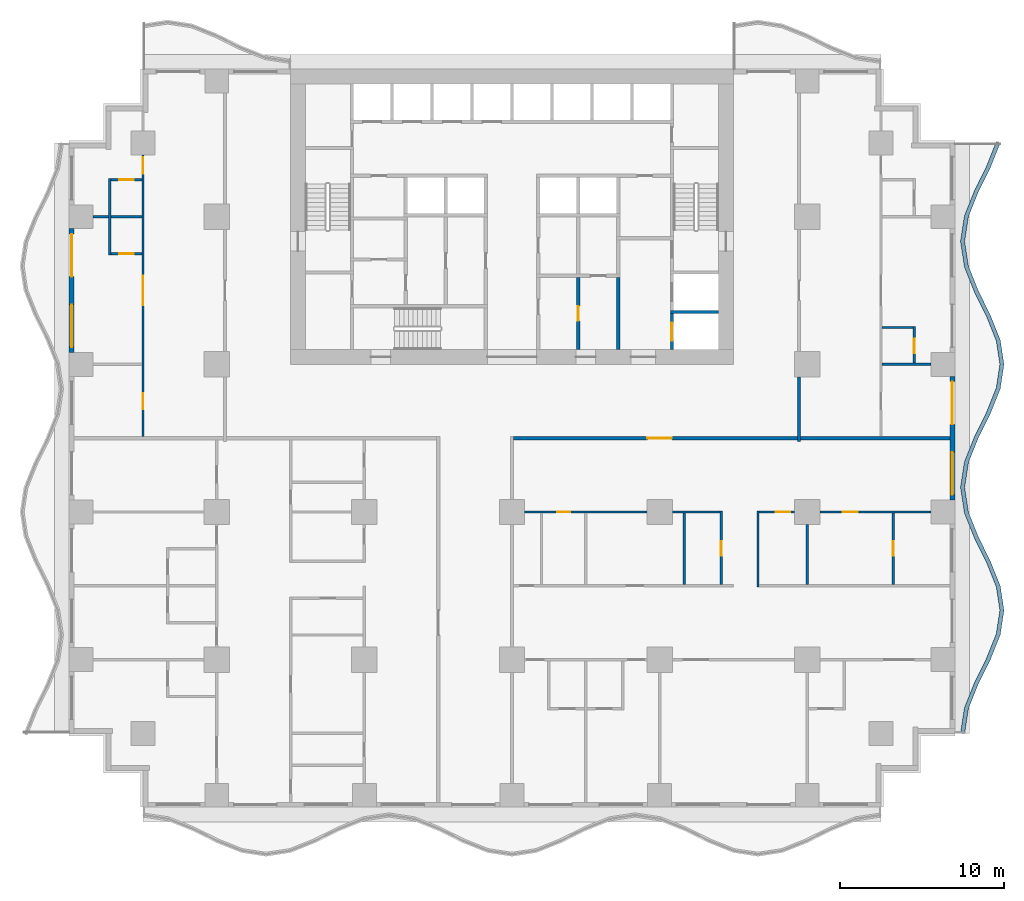
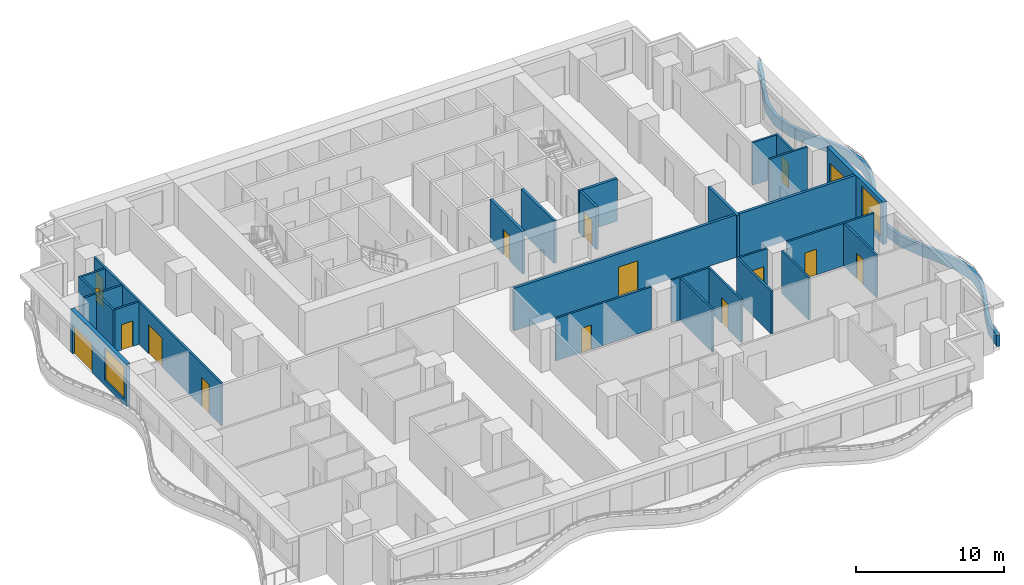
# One storey, part 4 of 14: 28 walls, 16 doors, 2 windows, 18 openings.
"""IFC4 building model written with IfcOpenShell, lengths in metres."""

from ifc_helpers import new_model, si_unit, direction, frame, frame_2d, origin, place, context, subcontext, project, spatial, polyline, rectangle, outline, extrude, material, layer, layer_set, type_object, element, fill, save


model = new_model("IFC4")

# Units and contexts
model_context = context("Model", 3, precision=1e-05, world=origin(), true_north=direction((0.0, 1.0)))
body_context = subcontext(model_context, "Body", "Model", "MODEL_VIEW")
ifc_project = project(units=[si_unit("LENGTHUNIT", "METRE"), si_unit("AREAUNIT", "SQUARE_METRE"), si_unit("VOLUMEUNIT", "CUBIC_METRE"), si_unit("PLANEANGLEUNIT", "RADIAN"), si_unit("MASSUNIT", "GRAM", prefix="KILO")], contexts=[model_context])

# Site, building, storey
site_placement = place(None, origin())
site = spatial("IfcSite", under=ifc_project, at=site_placement, CompositionType="ELEMENT")
building_placement = place(site_placement, origin())
building = spatial("IfcBuilding", under=site, at=building_placement, Name="Orbiselva Terraces", CompositionType="ELEMENT")
storey_placement = place(building_placement, frame((0.0, 0.0, 37.8)))
storey = spatial("IfcBuildingStorey", under=building, at=storey_placement, Name="L09", CompositionType="ELEMENT", Elevation=37.8)

# Wall, opening, door
ifc_material_1 = material(Name="Masonry blockwork", Category="masonry")
ifc_layer_1 = layer(ifc_material_1, 0.2)
ifc_layer_set_1 = layer_set([ifc_layer_1], Name="Masonry blockwork")
wall_type_1 = type_object("IfcWallType", Name="CORE-WALL-PARTITION-200", PredefinedType="PARTITIONING", material=ifc_layer_set_1)
wall_1_placement = place(storey_placement, frame((4.0375, 9.8, 0.0), z_axis=(0.0, 0.0, 1.0), x_axis=(0.0, -1.0, 0.0)))
wall_1 = element("IfcWall", 1, at=wall_1_placement, inside=storey, type_object=wall_type_1, Name="L09 core wall 36", PredefinedType="PARTITIONING", context=body_context, shape_type="SweptSolid", body=[
    extrude(rectangle(XDim=4.4, YDim=0.2, at=frame_2d((2.2, 0.0))), origin(), (0.0, 0.0, 1.0), 3.5),
])
opening_1_placement = place(wall_1_placement, frame((1.75, 0.0, 0.0)))
opening_1 = element("IfcOpeningElement", 2, at=opening_1_placement, cuts=wall_1, Name="Opening DR900", PredefinedType="OPENING", context=body_context, shape_type="SweptSolid", body=[
    extrude(rectangle(XDim=0.9, YDim=2.1, at=frame_2d((0.45, 1.05))), frame((0.0, 0.11, 0.0), z_axis=(0.0, -1.0, 0.0), x_axis=(1.0, 0.0, 0.0)), (0.0, 0.0, 1.0), 0.22),
])
ifc_material_2 = material(Name="Steel fire door", Category="steel")
door_type_1 = type_object("IfcDoorType", Name="ROOM DOOR 900", OperationType="NOTDEFINED", PredefinedType="DOOR", material=ifc_material_2)
door_1_placement = place(opening_1_placement, origin())
door_1 = element("IfcDoor", 3, at=door_1_placement, inside=storey, type_object=door_type_1, Name="L09 SPARE PARTS STORE door", OperationType="SINGLE_SWING_LEFT", OverallHeight=2.1, OverallWidth=0.9, PredefinedType="DOOR", context=body_context, shape_type="SweptSolid", body=[
    extrude(rectangle(XDim=0.9, YDim=2.1, at=frame_2d((0.45, 1.05))), frame((0.0, 0.025, 0.0), z_axis=(0.0, -1.0, 0.0), x_axis=(1.0, 0.0, 0.0)), (0.0, 0.0, 1.0), 0.05),
])
fill(opening_1, door_1)

# Wall
ifc_material_3 = material(Name="Concrete C60/75", Category="concrete")
ifc_layer_2 = layer(ifc_material_3, 0.2)
ifc_layer_set_2 = layer_set([ifc_layer_2], Name="Concrete C60/75")
wall_type_2 = type_object("IfcWallType", Name="CORE-WALL-SHEAR-200", PredefinedType="SHEAR", material=ifc_layer_set_2)
wall_2_placement = place(storey_placement, frame((6.475, 5.4, 0.0), z_axis=(0.0, 0.0, 1.0), x_axis=(0.0, 1.0, 0.0)))
element("IfcWall", 4, at=wall_2_placement, inside=storey, type_object=wall_type_2, Name="L09 core wall 40", PredefinedType="SHEAR", context=body_context, shape_type="SweptSolid", body=[
    extrude(rectangle(XDim=4.4, YDim=0.2, at=frame_2d((2.2, 0.0))), origin(), (0.0, 0.0, 1.0), 3.5),
])

# Wall, opening, door
wall_3_placement = place(storey_placement, frame((9.75, 5.4, 0.0), z_axis=(0.0, 0.0, 1.0), x_axis=(0.0, 1.0, 0.0)))
wall_3 = element("IfcWall", 5, at=wall_3_placement, inside=storey, type_object=wall_type_2, Name="L09 core wall 46", PredefinedType="SHEAR", context=body_context, shape_type="SweptSolid", body=[
    extrude(rectangle(XDim=2.2, YDim=0.2, at=frame_2d((1.1, 0.0))), origin(), (0.0, 0.0, 1.0), 3.5),
])
opening_2_placement = place(wall_3_placement, frame((0.55, 0.0, 0.0)))
opening_2 = element("IfcOpeningElement", 6, at=opening_2_placement, cuts=wall_3, Name="Opening LD-FF1", PredefinedType="OPENING", context=body_context, shape_type="SweptSolid", body=[
    extrude(rectangle(XDim=1.1, YDim=2.1, at=frame_2d((0.55, 1.05))), frame((0.0, 0.11, 0.0), z_axis=(0.0, -1.0, 0.0), x_axis=(1.0, 0.0, 0.0)), (0.0, 0.0, 1.0), 0.22),
])
ifc_material_4 = material(Name="Stainless steel landing door", Category="steel")
door_type_2 = type_object("IfcDoorType", Name="LANDING DOOR 1100", OperationType="SLIDING_TO_LEFT", PredefinedType="DOOR", material=ifc_material_4)
door_2_placement = place(opening_2_placement, origin())
door_2 = element("IfcDoor", 7, at=door_2_placement, inside=storey, type_object=door_type_2, Name="L09 landing door FF1", OperationType="SLIDING_TO_RIGHT", OverallHeight=2.1, OverallWidth=1.1, PredefinedType="DOOR", context=body_context, shape_type="SweptSolid", body=[
    extrude(rectangle(XDim=1.1, YDim=2.1, at=frame_2d((0.55, 1.05))), frame((0.0, 0.025, 0.0), z_axis=(0.0, -1.0, 0.0), x_axis=(1.0, 0.0, 0.0)), (0.0, 0.0, 1.0), 0.05),
])
fill(opening_2, door_2)

# Walls
wall_4_placement = place(storey_placement, frame((9.65, 7.7, 0.0), z_axis=(0.0, 0.0, 1.0), x_axis=(1.0, 0.0, 0.0)))
element("IfcWall", 8, at=wall_4_placement, inside=storey, type_object=wall_type_2, Name="L09 core wall 47", PredefinedType="SHEAR", context=body_context, shape_type="SweptSolid", body=[
    extrude(rectangle(XDim=2.95, YDim=0.2, at=frame_2d((1.475, 0.0))), origin(), (0.0, 0.0, 1.0), 3.5),
])
ifc_material_5 = material(Name="Concrete C40/50", Category="concrete")
ifc_layer_3 = layer(ifc_material_5, 0.25)
ifc_layer_set_3 = layer_set([ifc_layer_3], Name="Concrete C40/50")
wall_type_3 = type_object("IfcWallType", Name="ENV-PLANTER-250x900", PredefinedType="USERDEFINED", material=ifc_layer_set_3)
wall_5_placement = place(storey_placement, origin())
element("IfcWall", 9, at=wall_5_placement, inside=storey, type_object=wall_type_3, Name="Balcony planter L09 E", ObjectType="PLANTER", PredefinedType="USERDEFINED", context=body_context, shape_type="SweptSolid", body=[
    extrude(outline(polyline([(27.6, -18.0), (27.82918, -16.5), (28.42918, -15.0), (29.17082, -13.5), (29.77082, -12.0), (30.0, -10.5), (29.77082, -9.0), (29.17082, -7.5), (28.42918, -6.0), (27.82918, -4.5), (27.6, -3.0), (27.82918, -1.5), (28.42918, 0.0), (29.17082, 1.5), (29.77082, 3.0), (30.0, 4.5), (29.77082, 6.0), (29.17082, 7.5), (28.42918, 9.0), (27.82918, 10.5), (27.6, 12.0), (27.82918, 13.5), (28.42918, 15.0), (29.17082, 16.5), (29.77082, 18.0), (29.538701, 18.092848), (28.942355, 16.601983), (28.200715, 15.101983), (27.586388, 13.566166), (27.347099, 12.0), (27.586388, 10.433834), (28.200715, 8.898017), (28.942355, 7.398017), (29.528028, 5.933834), (29.747099, 4.5), (29.528028, 3.066166), (28.942355, 1.601983), (28.200715, 0.101983), (27.586388, -1.433834), (27.347099, -3.0), (27.586388, -4.566166), (28.200715, -6.101983), (28.942355, -7.601983), (29.528028, -9.066166), (29.747099, -10.5), (29.528028, -11.933834), (28.942355, -13.398017), (28.200715, -14.898017), (27.586388, -16.433834), (27.352868, -17.962242), (27.6, -18.0)])), origin(), (0.0, 0.0, 1.0), 0.9),
])

# Wall, openings, door, window
ifc_material_6 = material(Name="Terracotta cladding on masonry backing", Category="masonry")
ifc_layer_4 = layer(ifc_material_6, 0.3)
ifc_layer_set_4 = layer_set([ifc_layer_4], Name="Terracotta cladding on masonry backing")
wall_type_4 = type_object("IfcWallType", Name="ENV-WALL-TERRACOTTA-300", PredefinedType="SOLIDWALL", material=ifc_layer_set_4)
wall_6_placement = place(storey_placement, frame((26.85, 3.775, 0.0), z_axis=(0.0, 0.0, 1.0), x_axis=(0.0, -1.0, 0.0)))
wall_6 = element("IfcWall", 10, at=wall_6_placement, inside=storey, type_object=wall_type_4, Name="Facade wall L09 E", PredefinedType="SOLIDWALL", context=body_context, shape_type="SweptSolid", body=[
    extrude(rectangle(XDim=7.55, YDim=0.3, at=frame_2d((3.775, 0.0))), origin(), (0.0, 0.0, 1.0), 3.5),
])
opening_3_placement = place(wall_6_placement, frame((4.625, 0.0, 0.45)))
opening_3 = element("IfcOpeningElement", 11, at=opening_3_placement, cuts=wall_6, Name="Opening WN1", PredefinedType="OPENING", context=body_context, shape_type="SweptSolid", body=[
    extrude(rectangle(XDim=2.6, YDim=2.65, at=frame_2d((1.3, 1.325))), frame((0.0, 0.16, 0.0), z_axis=(0.0, -1.0, 0.0), x_axis=(1.0, 0.0, 0.0)), (0.0, 0.0, 1.0), 0.32),
])
opening_4_placement = place(wall_6_placement, frame((0.325, 0.0, 0.0)))
opening_4 = element("IfcOpeningElement", 12, at=opening_4_placement, cuts=wall_6, Name="Opening Z1-C-E06", PredefinedType="OPENING", context=body_context, shape_type="SweptSolid", body=[
    extrude(rectangle(XDim=2.6, YDim=2.4, at=frame_2d((1.3, 1.2))), frame((0.0, 0.16, 0.0), z_axis=(0.0, -1.0, 0.0), x_axis=(1.0, 0.0, 0.0)), (0.0, 0.0, 1.0), 0.32),
])
ifc_material_7 = material(Name="Clear low-e glazing in aluminium frame", Category="aluminium")
door_type_3 = type_object("IfcDoorType", Name="BALCONY DOOR 2600 X 2400", OperationType="DOUBLE_DOOR_SLIDING", PredefinedType="DOOR", material=ifc_material_7)
door_3_placement = place(opening_4_placement, origin())
door_3 = element("IfcDoor", 13, at=door_3_placement, inside=storey, type_object=door_type_3, Name="Z1-C-E06", OperationType="SINGLE_SWING_LEFT", OverallHeight=2.4, OverallWidth=2.6, PredefinedType="DOOR", context=body_context, shape_type="SweptSolid", body=[
    extrude(rectangle(XDim=2.6, YDim=2.4, at=frame_2d((1.3, 1.2))), frame((0.0, 0.025, 0.0), z_axis=(0.0, -1.0, 0.0), x_axis=(1.0, 0.0, 0.0)), (0.0, 0.0, 1.0), 0.05),
])
fill(opening_4, door_3)
window_type = type_object("IfcWindowType", Name="WINDOW 2600 X 2650 S450", PartitioningType="TRIPLE_PANEL_VERTICAL", PredefinedType="WINDOW", material=ifc_material_7)
window_1_placement = place(opening_3_placement, origin())
window_1 = element("IfcWindow", 14, at=window_1_placement, inside=storey, type_object=window_type, Name="Window L09 E", OverallHeight=2.65, OverallWidth=2.6, PartitioningType="SINGLE_PANEL", PredefinedType="WINDOW", context=body_context, shape_type="SweptSolid", body=[
    extrude(rectangle(XDim=2.6, YDim=2.65, at=frame_2d((1.3, 1.325))), frame((0.0, 0.03, 0.0), z_axis=(0.0, -1.0, 0.0), x_axis=(1.0, 0.0, 0.0)), (0.0, 0.0, 1.0), 0.06),
])
fill(opening_3, window_1)

wall_7_placement = place(storey_placement, frame((-26.85, 5.225, 0.0), z_axis=(0.0, 0.0, 1.0), x_axis=(0.0, 1.0, 0.0)))
wall_7 = element("IfcWall", 15, at=wall_7_placement, inside=storey, type_object=wall_type_4, Name="Facade wall L09 W", PredefinedType="SOLIDWALL", context=body_context, shape_type="SweptSolid", body=[
    extrude(rectangle(XDim=7.55, YDim=0.3, at=frame_2d((3.775, 0.0))), origin(), (0.0, 0.0, 1.0), 3.5),
])
opening_5_placement = place(wall_7_placement, frame((4.625, 0.0, 0.0)))
opening_5 = element("IfcOpeningElement", 16, at=opening_5_placement, cuts=wall_7, Name="Opening Z1-C-E10", PredefinedType="OPENING", context=body_context, shape_type="SweptSolid", body=[
    extrude(rectangle(XDim=2.6, YDim=2.4, at=frame_2d((1.3, 1.2))), frame((0.0, 0.16, 0.0), z_axis=(0.0, -1.0, 0.0), x_axis=(1.0, 0.0, 0.0)), (0.0, 0.0, 1.0), 0.32),
])
opening_6_placement = place(wall_7_placement, frame((0.325, 0.0, 0.45)))
opening_6 = element("IfcOpeningElement", 17, at=opening_6_placement, cuts=wall_7, Name="Opening WN1", PredefinedType="OPENING", context=body_context, shape_type="SweptSolid", body=[
    extrude(rectangle(XDim=2.6, YDim=2.65, at=frame_2d((1.3, 1.325))), frame((0.0, 0.16, 0.0), z_axis=(0.0, -1.0, 0.0), x_axis=(1.0, 0.0, 0.0)), (0.0, 0.0, 1.0), 0.32),
])
door_4_placement = place(opening_5_placement, origin())
door_4 = element("IfcDoor", 18, at=door_4_placement, inside=storey, type_object=door_type_3, Name="Z1-C-E10", OperationType="SINGLE_SWING_LEFT", OverallHeight=2.4, OverallWidth=2.6, PredefinedType="DOOR", context=body_context, shape_type="SweptSolid", body=[
    extrude(rectangle(XDim=2.6, YDim=2.4, at=frame_2d((1.3, 1.2))), frame((0.0, 0.025, 0.0), z_axis=(0.0, -1.0, 0.0), x_axis=(1.0, 0.0, 0.0)), (0.0, 0.0, 1.0), 0.05),
])
fill(opening_5, door_4)
window_2_placement = place(opening_6_placement, origin())
window_2 = element("IfcWindow", 19, at=window_2_placement, inside=storey, type_object=window_type, Name="Window L09 W", OverallHeight=2.65, OverallWidth=2.6, PartitioningType="SINGLE_PANEL", PredefinedType="WINDOW", context=body_context, shape_type="SweptSolid", body=[
    extrude(rectangle(XDim=2.6, YDim=2.65, at=frame_2d((1.3, 1.325))), frame((0.0, 0.03, 0.0), z_axis=(0.0, -1.0, 0.0), x_axis=(1.0, 0.0, 0.0)), (0.0, 0.0, 1.0), 0.06),
])
fill(opening_6, window_2)

# Wall, opening, door
ifc_material_8 = material(Name="Plasterboard on steel stud partition", Category="steel")
ifc_layer_5 = layer(ifc_material_8, 0.2)
ifc_layer_set_5 = layer_set([ifc_layer_5], Name="Plasterboard on steel stud partition")
wall_type_5 = type_object("IfcWallType", Name="UNIT-ENTRANCE-WALL-200", PredefinedType="PARTITIONING", material=ifc_layer_set_5)
wall_8_placement = place(storey_placement, frame((17.4, 0.0, 0.0), z_axis=(0.0, 0.0, 1.0), x_axis=(-1.0, 0.0, 0.0)))
wall_8 = element("IfcWall", 20, at=wall_8_placement, inside=storey, type_object=wall_type_5, Name="PARTITION L09-028", PredefinedType="PARTITIONING", context=body_context, shape_type="SweptSolid", body=[
    extrude(rectangle(XDim=17.3, YDim=0.2, at=frame_2d((8.65, 0.0))), origin(), (0.0, 0.0, 1.0), 3.5),
])
opening_7_placement = place(wall_8_placement, frame((7.65, 0.0, 0.0)))
opening_7 = element("IfcOpeningElement", 21, at=opening_7_placement, cuts=wall_8, Name="Opening Z1-C-28", PredefinedType="OPENING", context=body_context, shape_type="SweptSolid", body=[
    extrude(rectangle(XDim=1.5, YDim=2.4, at=frame_2d((0.75, 1.2))), frame((0.0, 0.11, 0.0), z_axis=(0.0, -1.0, 0.0), x_axis=(1.0, 0.0, 0.0)), (0.0, 0.0, 1.0), 0.22),
])
ifc_material_9 = material(Name="Painted timber door leaf", Category="wood")
door_type_4 = type_object("IfcDoorType", Name="ENTRANCE DOUBLE DOOR 1500", OperationType="NOTDEFINED", PredefinedType="DOOR", material=ifc_material_9)
door_5_placement = place(opening_7_placement, origin())
door_5 = element("IfcDoor", 22, at=door_5_placement, inside=storey, type_object=door_type_4, Name="Z1-C-28", OperationType="DOUBLE_DOOR_SINGLE_SWING", OverallHeight=2.4, OverallWidth=1.5, PredefinedType="DOOR", context=body_context, shape_type="SweptSolid", body=[
    extrude(rectangle(XDim=1.5, YDim=2.4, at=frame_2d((0.75, 1.2))), frame((0.0, 0.025, 0.0), z_axis=(0.0, -1.0, 0.0), x_axis=(1.0, 0.0, 0.0)), (0.0, 0.0, 1.0), 0.05),
])
fill(opening_7, door_5)

# Wall
wall_9_placement = place(storey_placement, frame((17.5, -0.2, 0.0), z_axis=(0.0, 0.0, 1.0), x_axis=(0.0, 1.0, 0.0)))
element("IfcWall", 23, at=wall_9_placement, inside=storey, type_object=wall_type_5, Name="PARTITION L09-070", PredefinedType="PARTITIONING", context=body_context, shape_type="SweptSolid", body=[
    extrude(rectangle(XDim=3.925, YDim=0.2, at=frame_2d((1.9625, 0.0))), origin(), (0.0, 0.0, 1.0), 3.5),
])

# Wall, opening, door
ifc_layer_6 = layer(ifc_material_8, 0.15)
ifc_layer_set_6 = layer_set([ifc_layer_6], Name="Plasterboard on steel stud partition")
wall_type_6 = type_object("IfcWallType", Name="UNIT-PARTITION-150", PredefinedType="PARTITIONING", material=ifc_layer_set_6)
wall_10_placement = place(storey_placement, frame((8.225, -4.5, 0.0), z_axis=(0.0, 0.0, 1.0), x_axis=(-1.0, 0.0, 0.0)))
wall_10 = element("IfcWall", 24, at=wall_10_placement, inside=storey, type_object=wall_type_6, Name="PARTITION L09-022", PredefinedType="PARTITIONING", context=body_context, shape_type="SweptSolid", body=[
    extrude(rectangle(XDim=7.45, YDim=0.15, at=frame_2d((3.725, 0.0))), origin(), (0.0, 0.0, 1.0), 3.5),
])
opening_8_placement = place(wall_10_placement, frame((4.675, 0.0, 0.0)))
opening_8 = element("IfcOpeningElement", 25, at=opening_8_placement, cuts=wall_10, Name="Opening Z1-C-30", PredefinedType="OPENING", context=body_context, shape_type="SweptSolid", body=[
    extrude(rectangle(XDim=0.8, YDim=2.0, at=frame_2d((0.4, 1.0))), frame((0.0, 0.085, 0.0), z_axis=(0.0, -1.0, 0.0), x_axis=(1.0, 0.0, 0.0)), (0.0, 0.0, 1.0), 0.17),
])
door_type_5 = type_object("IfcDoorType", Name="STORE DOOR 800", OperationType="NOTDEFINED", PredefinedType="DOOR", material=ifc_material_9)
door_6_placement = place(opening_8_placement, origin())
door_6 = element("IfcDoor", 26, at=door_6_placement, inside=storey, type_object=door_type_5, Name="Z1-C-30", OperationType="SINGLE_SWING_RIGHT", OverallHeight=2.0, OverallWidth=0.8, PredefinedType="DOOR", context=body_context, shape_type="SweptSolid", body=[
    extrude(rectangle(XDim=0.8, YDim=2.0, at=frame_2d((0.4, 1.0))), frame((0.0, 0.025, 0.0), z_axis=(0.0, -1.0, 0.0), x_axis=(1.0, 0.0, 0.0)), (0.0, 0.0, 1.0), 0.05),
])
fill(opening_8, door_6)

# Wall
wall_11_placement = place(storey_placement, frame((9.775, -4.5, 0.0), z_axis=(0.0, 0.0, 1.0), x_axis=(1.0, 0.0, 0.0)))
element("IfcWall", 27, at=wall_11_placement, inside=storey, type_object=wall_type_6, Name="PARTITION L09-023", PredefinedType="PARTITIONING", context=body_context, shape_type="SweptSolid", body=[
    extrude(rectangle(XDim=2.9, YDim=0.15, at=frame_2d((1.45, 0.0))), origin(), (0.0, 0.0, 1.0), 3.5),
])

# Wall, opening, door
wall_12_placement = place(storey_placement, frame((17.225, -4.5, 0.0), z_axis=(0.0, 0.0, 1.0), x_axis=(-1.0, 0.0, 0.0)))
wall_12 = element("IfcWall", 28, at=wall_12_placement, inside=storey, type_object=wall_type_6, Name="PARTITION L09-024", PredefinedType="PARTITIONING", context=body_context, shape_type="SweptSolid", body=[
    extrude(rectangle(XDim=2.15, YDim=0.15, at=frame_2d((1.075, 0.0))), origin(), (0.0, 0.0, 1.0), 3.5),
])
opening_9_placement = place(wall_12_placement, frame((0.25, 0.0, 0.0)))
opening_9 = element("IfcOpeningElement", 29, at=opening_9_placement, cuts=wall_12, Name="Opening Z1-C-33", PredefinedType="OPENING", context=body_context, shape_type="SweptSolid", body=[
    extrude(rectangle(XDim=0.9, YDim=2.1, at=frame_2d((0.45, 1.05))), frame((0.0, 0.085, 0.0), z_axis=(0.0, -1.0, 0.0), x_axis=(1.0, 0.0, 0.0)), (0.0, 0.0, 1.0), 0.17),
])
door_type_6 = type_object("IfcDoorType", Name="SERVICE DOOR 900", OperationType="NOTDEFINED", PredefinedType="DOOR", material=ifc_material_9)
door_7_placement = place(opening_9_placement, origin())
door_7 = element("IfcDoor", 30, at=door_7_placement, inside=storey, type_object=door_type_6, Name="Z1-C-33", OperationType="SINGLE_SWING_LEFT", OverallHeight=2.1, OverallWidth=0.9, PredefinedType="DOOR", context=body_context, shape_type="SweptSolid", body=[
    extrude(rectangle(XDim=0.9, YDim=2.1, at=frame_2d((0.45, 1.05))), frame((0.0, 0.025, 0.0), z_axis=(0.0, -1.0, 0.0), x_axis=(1.0, 0.0, 0.0)), (0.0, 0.0, 1.0), 0.05),
])
fill(opening_9, door_7)

wall_13_placement = place(storey_placement, frame((25.55, -4.5, 0.0), z_axis=(0.0, 0.0, 1.0), x_axis=(-1.0, 0.0, 0.0)))
wall_13 = element("IfcWall", 31, at=wall_13_placement, inside=storey, type_object=wall_type_6, Name="PARTITION L09-025", PredefinedType="PARTITIONING", context=body_context, shape_type="SweptSolid", body=[
    extrude(rectangle(XDim=6.775, YDim=0.15, at=frame_2d((3.3875, 0.0))), origin(), (0.0, 0.0, 1.0), 3.5),
])
opening_10_placement = place(wall_13_placement, frame((4.475, 0.0, 0.0)))
opening_10 = element("IfcOpeningElement", 32, at=opening_10_placement, cuts=wall_13, Name="Opening Z1-C-34", PredefinedType="OPENING", context=body_context, shape_type="SweptSolid", body=[
    extrude(rectangle(XDim=0.9, YDim=2.1, at=frame_2d((0.45, 1.05))), frame((0.0, 0.085, 0.0), z_axis=(0.0, -1.0, 0.0), x_axis=(1.0, 0.0, 0.0)), (0.0, 0.0, 1.0), 0.17),
])
door_8_placement = place(opening_10_placement, origin())
door_8 = element("IfcDoor", 33, at=door_8_placement, inside=storey, type_object=door_type_6, Name="Z1-C-34", OperationType="SINGLE_SWING_RIGHT", OverallHeight=2.1, OverallWidth=0.9, PredefinedType="DOOR", context=body_context, shape_type="SweptSolid", body=[
    extrude(rectangle(XDim=0.9, YDim=2.1, at=frame_2d((0.45, 1.05))), frame((0.0, 0.025, 0.0), z_axis=(0.0, -1.0, 0.0), x_axis=(1.0, 0.0, 0.0)), (0.0, 0.0, 1.0), 0.05),
])
fill(opening_10, door_8)

# Walls
wall_14_placement = place(storey_placement, frame((22.575, 4.5, 0.0), z_axis=(0.0, 0.0, 1.0), x_axis=(1.0, 0.0, 0.0)))
element("IfcWall", 34, at=wall_14_placement, inside=storey, type_object=wall_type_6, Name="PARTITION L09-032", PredefinedType="PARTITIONING", context=body_context, shape_type="SweptSolid", body=[
    extrude(rectangle(XDim=2.975, YDim=0.15, at=frame_2d((1.4875, 0.0))), origin(), (0.0, 0.0, 1.0), 3.5),
])
wall_15_placement = place(storey_placement, frame((22.575, 6.75, 0.0), z_axis=(0.0, 0.0, 1.0), x_axis=(1.0, 0.0, 0.0)))
element("IfcWall", 35, at=wall_15_placement, inside=storey, type_object=wall_type_6, Name="PARTITION L09-033", PredefinedType="PARTITIONING", context=body_context, shape_type="SweptSolid", body=[
    extrude(rectangle(XDim=1.875, YDim=0.15, at=frame_2d((0.9375, 0.0))), origin(), (0.0, 0.0, 1.0), 3.5),
])

# Wall, opening, door
wall_16_placement = place(storey_placement, frame((-24.45, 11.25, 0.0), z_axis=(0.0, 0.0, 1.0), x_axis=(1.0, 0.0, 0.0)))
wall_16 = element("IfcWall", 36, at=wall_16_placement, inside=storey, type_object=wall_type_6, Name="PARTITION L09-034", PredefinedType="PARTITIONING", context=body_context, shape_type="SweptSolid", body=[
    extrude(rectangle(XDim=1.875, YDim=0.15, at=frame_2d((0.9375, 0.0))), origin(), (0.0, 0.0, 1.0), 3.5),
])
opening_11_placement = place(wall_16_placement, frame((0.5, 0.0, 0.0)))
opening_11 = element("IfcOpeningElement", 37, at=opening_11_placement, cuts=wall_16, Name="Opening Z1-C-04", PredefinedType="OPENING", context=body_context, shape_type="SweptSolid", body=[
    extrude(rectangle(XDim=0.9, YDim=2.1, at=frame_2d((0.45, 1.05))), frame((0.0, 0.085, 0.0), z_axis=(0.0, -1.0, 0.0), x_axis=(1.0, 0.0, 0.0)), (0.0, 0.0, 1.0), 0.17),
])
door_type_7 = type_object("IfcDoorType", Name="BATH DOOR 900", OperationType="NOTDEFINED", PredefinedType="DOOR", material=ifc_material_9)
door_9_placement = place(opening_11_placement, origin())
door_9 = element("IfcDoor", 38, at=door_9_placement, inside=storey, type_object=door_type_7, Name="Z1-C-04", OperationType="SINGLE_SWING_RIGHT", OverallHeight=2.1, OverallWidth=0.9, PredefinedType="DOOR", context=body_context, shape_type="SweptSolid", body=[
    extrude(rectangle(XDim=0.9, YDim=2.1, at=frame_2d((0.45, 1.05))), frame((0.0, 0.025, 0.0), z_axis=(0.0, -1.0, 0.0), x_axis=(1.0, 0.0, 0.0)), (0.0, 0.0, 1.0), 0.05),
])
fill(opening_11, door_9)

# Walls
wall_17_placement = place(storey_placement, frame((-25.55, 13.5, 0.0), z_axis=(0.0, 0.0, 1.0), x_axis=(1.0, 0.0, 0.0)))
element("IfcWall", 39, at=wall_17_placement, inside=storey, type_object=wall_type_6, Name="PARTITION L09-035", PredefinedType="PARTITIONING", context=body_context, shape_type="SweptSolid", body=[
    extrude(rectangle(XDim=0.95, YDim=0.15, at=frame_2d((0.475, 0.0))), origin(), (0.0, 0.0, 1.0), 3.5),
])
wall_18_placement = place(storey_placement, frame((-24.45, 13.5, 0.0), z_axis=(0.0, 0.0, 1.0), x_axis=(1.0, 0.0, 0.0)))
element("IfcWall", 40, at=wall_18_placement, inside=storey, type_object=wall_type_6, Name="PARTITION L09-036", PredefinedType="PARTITIONING", context=body_context, shape_type="SweptSolid", body=[
    extrude(rectangle(XDim=1.875, YDim=0.15, at=frame_2d((0.9375, 0.0))), origin(), (0.0, 0.0, 1.0), 3.5),
])

# Wall, opening, door
wall_19_placement = place(storey_placement, frame((-22.575, 15.75, 0.0), z_axis=(0.0, 0.0, 1.0), x_axis=(-1.0, 0.0, 0.0)))
wall_19 = element("IfcWall", 41, at=wall_19_placement, inside=storey, type_object=wall_type_6, Name="PARTITION L09-038", PredefinedType="PARTITIONING", context=body_context, shape_type="SweptSolid", body=[
    extrude(rectangle(XDim=1.875, YDim=0.15, at=frame_2d((0.9375, 0.0))), origin(), (0.0, 0.0, 1.0), 3.5),
])
opening_12_placement = place(wall_19_placement, frame((0.475, 0.0, 0.0)))
opening_12 = element("IfcOpeningElement", 42, at=opening_12_placement, cuts=wall_19, Name="Opening Z1-C-06", PredefinedType="OPENING", context=body_context, shape_type="SweptSolid", body=[
    extrude(rectangle(XDim=0.9, YDim=2.1, at=frame_2d((0.45, 1.05))), frame((0.0, 0.085, 0.0), z_axis=(0.0, -1.0, 0.0), x_axis=(1.0, 0.0, 0.0)), (0.0, 0.0, 1.0), 0.17),
])
door_10_placement = place(opening_12_placement, origin())
door_10 = element("IfcDoor", 43, at=door_10_placement, inside=storey, type_object=door_type_7, Name="Z1-C-06", OperationType="SINGLE_SWING_LEFT", OverallHeight=2.1, OverallWidth=0.9, PredefinedType="DOOR", context=body_context, shape_type="SweptSolid", body=[
    extrude(rectangle(XDim=0.9, YDim=2.1, at=frame_2d((0.45, 1.05))), frame((0.0, 0.025, 0.0), z_axis=(0.0, -1.0, 0.0), x_axis=(1.0, 0.0, 0.0)), (0.0, 0.0, 1.0), 0.05),
])
fill(opening_12, door_10)

# Wall
wall_20_placement = place(storey_placement, frame((-24.525, 11.175, 0.0), z_axis=(0.0, 0.0, 1.0), x_axis=(0.0, 1.0, 0.0)))
element("IfcWall", 44, at=wall_20_placement, inside=storey, type_object=wall_type_6, Name="PARTITION L09-040", PredefinedType="PARTITIONING", context=body_context, shape_type="SweptSolid", body=[
    extrude(rectangle(XDim=4.65, YDim=0.15, at=frame_2d((2.325, 0.0))), origin(), (0.0, 0.0, 1.0), 3.5),
])

# Wall, openings, doors
wall_21_placement = place(storey_placement, frame((-22.5, 0.1, 0.0), z_axis=(0.0, 0.0, 1.0), x_axis=(0.0, 1.0, 0.0)))
wall_21 = element("IfcWall", 45, at=wall_21_placement, inside=storey, type_object=wall_type_6, Name="PARTITION L09-041", PredefinedType="PARTITIONING", context=body_context, shape_type="SweptSolid", body=[
    extrude(rectangle(XDim=17.175, YDim=0.15, at=frame_2d((8.5875, 0.0))), origin(), (0.0, 0.0, 1.0), 3.5),
])
opening_13_placement = place(wall_21_placement, frame((1.65, 0.0, 0.0)))
opening_13 = element("IfcOpeningElement", 46, at=opening_13_placement, cuts=wall_21, Name="Opening Z1-C-02", PredefinedType="OPENING", context=body_context, shape_type="SweptSolid", body=[
    extrude(rectangle(XDim=1.0, YDim=2.4, at=frame_2d((0.5, 1.2))), frame((0.0, 0.085, 0.0), z_axis=(0.0, -1.0, 0.0), x_axis=(1.0, 0.0, 0.0)), (0.0, 0.0, 1.0), 0.17),
])
opening_14_placement = place(wall_21_placement, frame((8.0, 0.0, 0.0)))
opening_14 = element("IfcOpeningElement", 47, at=opening_14_placement, cuts=wall_21, Name="Opening Z1-C-03", PredefinedType="OPENING", context=body_context, shape_type="SweptSolid", body=[
    extrude(rectangle(XDim=1.8, YDim=2.4, at=frame_2d((0.9, 1.2))), frame((0.0, 0.085, 0.0), z_axis=(0.0, -1.0, 0.0), x_axis=(1.0, 0.0, 0.0)), (0.0, 0.0, 1.0), 0.17),
])
opening_15_placement = place(wall_21_placement, frame((16.025, 0.0, 0.0)))
opening_15 = element("IfcOpeningElement", 48, at=opening_15_placement, cuts=wall_21, Name="Opening Z1-C-05", PredefinedType="OPENING", context=body_context, shape_type="SweptSolid", body=[
    extrude(rectangle(XDim=1.0, YDim=2.4, at=frame_2d((0.5, 1.2))), frame((0.0, 0.085, 0.0), z_axis=(0.0, -1.0, 0.0), x_axis=(1.0, 0.0, 0.0)), (0.0, 0.0, 1.0), 0.17),
])
door_type_8 = type_object("IfcDoorType", Name="DOUBLE DOOR 1800", OperationType="NOTDEFINED", PredefinedType="DOOR", material=ifc_material_9)
door_11_placement = place(opening_14_placement, origin())
door_11 = element("IfcDoor", 49, at=door_11_placement, inside=storey, type_object=door_type_8, Name="Z1-C-03", OperationType="DOUBLE_DOOR_SINGLE_SWING", OverallHeight=2.4, OverallWidth=1.8, PredefinedType="DOOR", context=body_context, shape_type="SweptSolid", body=[
    extrude(rectangle(XDim=1.8, YDim=2.4, at=frame_2d((0.9, 1.2))), frame((0.0, 0.025, 0.0), z_axis=(0.0, -1.0, 0.0), x_axis=(1.0, 0.0, 0.0)), (0.0, 0.0, 1.0), 0.05),
])
fill(opening_14, door_11)
door_type_9 = type_object("IfcDoorType", Name="ROOM DOOR 1000", OperationType="NOTDEFINED", PredefinedType="DOOR", material=ifc_material_9)
door_12_placement = place(opening_13_placement, origin())
door_12 = element("IfcDoor", 50, at=door_12_placement, inside=storey, type_object=door_type_9, Name="Z1-C-02", OperationType="SINGLE_SWING_LEFT", OverallHeight=2.4, OverallWidth=1.0, PredefinedType="DOOR", context=body_context, shape_type="SweptSolid", body=[
    extrude(rectangle(XDim=1.0, YDim=2.4, at=frame_2d((0.5, 1.2))), frame((0.0, 0.025, 0.0), z_axis=(0.0, -1.0, 0.0), x_axis=(1.0, 0.0, 0.0)), (0.0, 0.0, 1.0), 0.05),
])
fill(opening_13, door_12)
door_13_placement = place(opening_15_placement, origin())
door_13 = element("IfcDoor", 51, at=door_13_placement, inside=storey, type_object=door_type_9, Name="Z1-C-05", OperationType="SINGLE_SWING_RIGHT", OverallHeight=2.4, OverallWidth=1.0, PredefinedType="DOOR", context=body_context, shape_type="SweptSolid", body=[
    extrude(rectangle(XDim=1.0, YDim=2.4, at=frame_2d((0.5, 1.2))), frame((0.0, 0.025, 0.0), z_axis=(0.0, -1.0, 0.0), x_axis=(1.0, 0.0, 0.0)), (0.0, 0.0, 1.0), 0.05),
])
fill(opening_15, door_13)

# Wall
wall_22_placement = place(storey_placement, frame((10.5, -8.925, 0.0), z_axis=(0.0, 0.0, 1.0), x_axis=(0.0, 1.0, 0.0)))
element("IfcWall", 52, at=wall_22_placement, inside=storey, type_object=wall_type_6, Name="PARTITION L09-067", PredefinedType="PARTITIONING", context=body_context, shape_type="SweptSolid", body=[
    extrude(rectangle(XDim=4.35, YDim=0.15, at=frame_2d((2.175, 0.0))), origin(), (0.0, 0.0, 1.0), 3.5),
])

# Wall, opening, door
wall_23_placement = place(storey_placement, frame((12.75, -8.925, 0.0), z_axis=(0.0, 0.0, 1.0), x_axis=(0.0, 1.0, 0.0)))
wall_23 = element("IfcWall", 53, at=wall_23_placement, inside=storey, type_object=wall_type_6, Name="PARTITION L09-068", PredefinedType="PARTITIONING", context=body_context, shape_type="SweptSolid", body=[
    extrude(rectangle(XDim=4.5, YDim=0.15, at=frame_2d((2.25, 0.0))), origin(), (0.0, 0.0, 1.0), 3.5),
])
opening_16_placement = place(wall_23_placement, frame((1.75, 0.0, 0.0)))
opening_16 = element("IfcOpeningElement", 54, at=opening_16_placement, cuts=wall_23, Name="Opening Z1-C-32", PredefinedType="OPENING", context=body_context, shape_type="SweptSolid", body=[
    extrude(rectangle(XDim=0.9, YDim=2.1, at=frame_2d((0.45, 1.05))), frame((0.0, 0.085, 0.0), z_axis=(0.0, -1.0, 0.0), x_axis=(1.0, 0.0, 0.0)), (0.0, 0.0, 1.0), 0.17),
])
door_14_placement = place(opening_16_placement, origin())
door_14 = element("IfcDoor", 55, at=door_14_placement, inside=storey, type_object=door_type_7, Name="Z1-C-32", OperationType="SINGLE_SWING_LEFT", OverallHeight=2.1, OverallWidth=0.9, PredefinedType="DOOR", context=body_context, shape_type="SweptSolid", body=[
    extrude(rectangle(XDim=0.9, YDim=2.1, at=frame_2d((0.45, 1.05))), frame((0.0, 0.025, 0.0), z_axis=(0.0, -1.0, 0.0), x_axis=(1.0, 0.0, 0.0)), (0.0, 0.0, 1.0), 0.05),
])
fill(opening_16, door_14)

# Walls
wall_24_placement = place(storey_placement, frame((15.0, -9.075, 0.0), z_axis=(0.0, 0.0, 1.0), x_axis=(0.0, 1.0, 0.0)))
element("IfcWall", 56, at=wall_24_placement, inside=storey, type_object=wall_type_6, Name="PARTITION L09-069", PredefinedType="PARTITIONING", context=body_context, shape_type="SweptSolid", body=[
    extrude(rectangle(XDim=4.65, YDim=0.15, at=frame_2d((2.325, 0.0))), origin(), (0.0, 0.0, 1.0), 3.5),
])
wall_25_placement = place(storey_placement, frame((18.0, -8.925, 0.0), z_axis=(0.0, 0.0, 1.0), x_axis=(0.0, 1.0, 0.0)))
element("IfcWall", 57, at=wall_25_placement, inside=storey, type_object=wall_type_6, Name="PARTITION L09-074", PredefinedType="PARTITIONING", context=body_context, shape_type="SweptSolid", body=[
    extrude(rectangle(XDim=3.65, YDim=0.15, at=frame_2d((1.825, 0.0))), origin(), (0.0, 0.0, 1.0), 3.5),
])

# Wall, opening, door
wall_26_placement = place(storey_placement, frame((23.25, -4.575, 0.0), z_axis=(0.0, 0.0, 1.0), x_axis=(0.0, -1.0, 0.0)))
wall_26 = element("IfcWall", 58, at=wall_26_placement, inside=storey, type_object=wall_type_6, Name="PARTITION L09-078", PredefinedType="PARTITIONING", context=body_context, shape_type="SweptSolid", body=[
    extrude(rectangle(XDim=4.35, YDim=0.15, at=frame_2d((2.175, 0.0))), origin(), (0.0, 0.0, 1.0), 3.5),
])
opening_17_placement = place(wall_26_placement, frame((1.7, 0.0, 0.0)))
opening_17 = element("IfcOpeningElement", 59, at=opening_17_placement, cuts=wall_26, Name="Opening Z1-C-35", PredefinedType="OPENING", context=body_context, shape_type="SweptSolid", body=[
    extrude(rectangle(XDim=0.9, YDim=2.1, at=frame_2d((0.45, 1.05))), frame((0.0, 0.085, 0.0), z_axis=(0.0, -1.0, 0.0), x_axis=(1.0, 0.0, 0.0)), (0.0, 0.0, 1.0), 0.17),
])
door_15_placement = place(opening_17_placement, origin())
door_15 = element("IfcDoor", 60, at=door_15_placement, inside=storey, type_object=door_type_7, Name="Z1-C-35", OperationType="SINGLE_SWING_LEFT", OverallHeight=2.1, OverallWidth=0.9, PredefinedType="DOOR", context=body_context, shape_type="SweptSolid", body=[
    extrude(rectangle(XDim=0.9, YDim=2.1, at=frame_2d((0.45, 1.05))), frame((0.0, 0.025, 0.0), z_axis=(0.0, -1.0, 0.0), x_axis=(1.0, 0.0, 0.0)), (0.0, 0.0, 1.0), 0.05),
])
fill(opening_17, door_15)

wall_27_placement = place(storey_placement, frame((24.525, 4.575, 0.0), z_axis=(0.0, 0.0, 1.0), x_axis=(0.0, 1.0, 0.0)))
wall_27 = element("IfcWall", 61, at=wall_27_placement, inside=storey, type_object=wall_type_6, Name="PARTITION L09-079", PredefinedType="PARTITIONING", context=body_context, shape_type="SweptSolid", body=[
    extrude(rectangle(XDim=2.25, YDim=0.15, at=frame_2d((1.125, 0.0))), origin(), (0.0, 0.0, 1.0), 3.5),
])
opening_18_placement = place(wall_27_placement, frame((0.6, 0.0, 0.0)))
opening_18 = element("IfcOpeningElement", 62, at=opening_18_placement, cuts=wall_27, Name="Opening Z1-C-10", PredefinedType="OPENING", context=body_context, shape_type="SweptSolid", body=[
    extrude(rectangle(XDim=0.9, YDim=2.1, at=frame_2d((0.45, 1.05))), frame((0.0, 0.085, 0.0), z_axis=(0.0, -1.0, 0.0), x_axis=(1.0, 0.0, 0.0)), (0.0, 0.0, 1.0), 0.17),
])
door_16_placement = place(opening_18_placement, origin())
door_16 = element("IfcDoor", 63, at=door_16_placement, inside=storey, type_object=door_type_7, Name="Z1-C-10", OperationType="SINGLE_SWING_LEFT", OverallHeight=2.1, OverallWidth=0.9, PredefinedType="DOOR", context=body_context, shape_type="SweptSolid", body=[
    extrude(rectangle(XDim=0.9, YDim=2.1, at=frame_2d((0.45, 1.05))), frame((0.0, 0.025, 0.0), z_axis=(0.0, -1.0, 0.0), x_axis=(1.0, 0.0, 0.0)), (0.0, 0.0, 1.0), 0.05),
])
fill(opening_18, door_16)

# Wall
ifc_layer_7 = layer(ifc_material_8, 0.2)
ifc_layer_set_7 = layer_set([ifc_layer_7], Name="Plasterboard on steel stud partition")
wall_type_7 = type_object("IfcWallType", Name="UNIT-PARTY-WALL-200", PredefinedType="PARTITIONING", material=ifc_layer_set_7)
wall_28_placement = place(storey_placement, frame((17.6, 0.0, 0.0), z_axis=(0.0, 0.0, 1.0), x_axis=(1.0, 0.0, 0.0)))
element("IfcWall", 64, at=wall_28_placement, inside=storey, type_object=wall_type_7, Name="PARTITION L09-030", PredefinedType="PARTITIONING", context=body_context, shape_type="SweptSolid", body=[
    extrude(rectangle(XDim=9.1, YDim=0.2, at=frame_2d((4.55, 0.0))), origin(), (0.0, 0.0, 1.0), 3.5),
])

save(model, "model.ifc")
